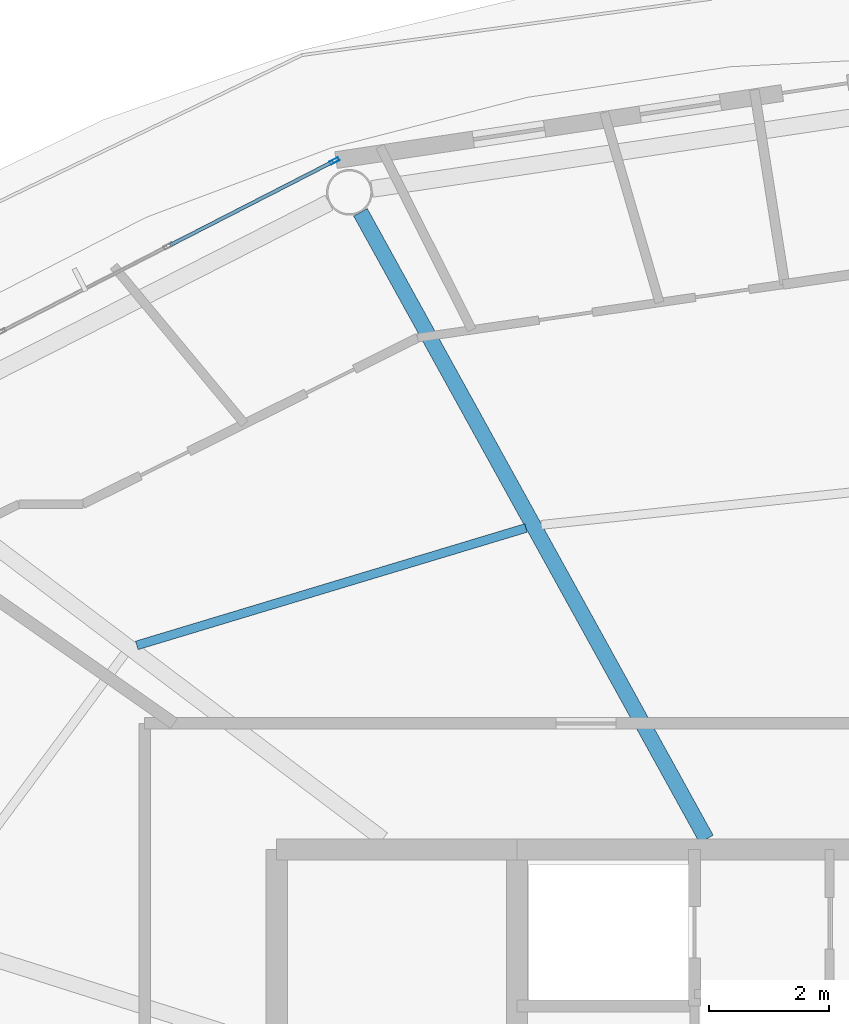
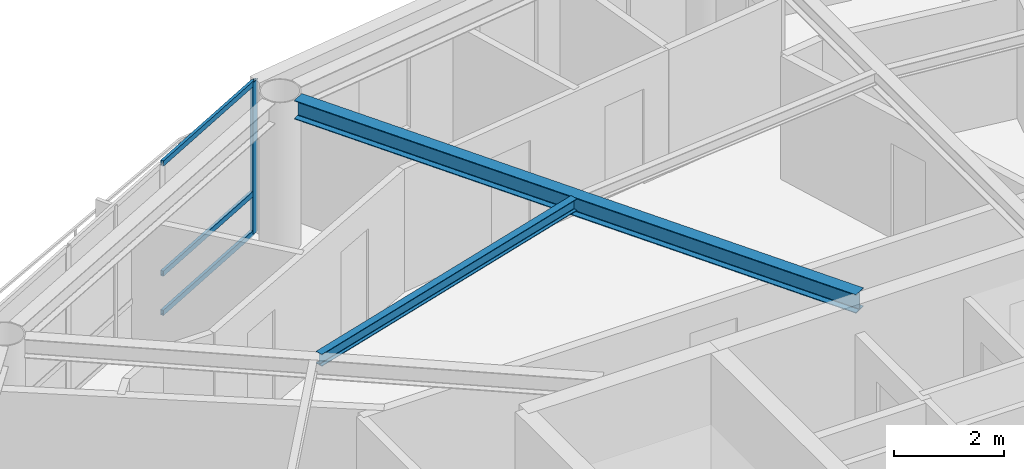
# One storey, part 9 of 23: 4 members, 2 beams, 1 element without a shape of its own.
"""IFC4 building model written with IfcOpenShell, lengths in metres."""

from ifc_helpers import new_model, si_unit, direction, frame, origin, origin_2d, place, context, subcontext, project, spatial, hollow_rectangle, i_section, extrude, material, layer, layer_set, material_profile, profile_set, type_object, element, aggregate, save


model = new_model("IFC4")

# Units and contexts
model_context = context("Model", 3, precision=1e-05, world=origin(), true_north=direction((0.0, 1.0)))
body_context = subcontext(model_context, "Body", "Model", "MODEL_VIEW")
ifc_project = project(units=[si_unit("LENGTHUNIT", "METRE"), si_unit("AREAUNIT", "SQUARE_METRE"), si_unit("VOLUMEUNIT", "CUBIC_METRE"), si_unit("PLANEANGLEUNIT", "RADIAN"), si_unit("MASSUNIT", "GRAM", prefix="KILO")], contexts=[model_context])

# Site, building, storey
site_placement = place(None, origin())
site = spatial("IfcSite", under=ifc_project, at=site_placement, CompositionType="ELEMENT")
building_placement = place(site_placement, origin())
building = spatial("IfcBuilding", under=site, at=building_placement, Name="Sarneth Arch Tower", CompositionType="ELEMENT")
storey_placement = place(building_placement, frame((0.0, 0.0, 276.60009765625)))
storey = spatial("IfcBuildingStorey", under=building, at=storey_placement, Name="L71", CompositionType="ELEMENT", Elevation=276.60009765625)

# Beams
ifc_material_1 = material(Name="Steel S355", Category="steel")
ifc_material_profile_1 = material_profile(ifc_material_1, i_section(OverallWidth=0.14794921875, OverallDepth=0.26611328125, WebThickness=0.007568359375, FlangeThickness=0.012939453125, FilletRadius=0.012939453125, at=origin_2d()), Name="W250x44.8")
ifc_profile_set_1 = profile_set([ifc_material_profile_1], Name="Steel S355")
beam_type_1 = type_object("IfcBeamType", Name="BM-JOIST-250", PredefinedType="JOIST", material=ifc_profile_set_1)
beam_1_placement = place(storey_placement, frame((41.147216796875, 54.15234375, 3.23681640625), z_axis=(-0.957373106971, -0.288854174367, 0.0), x_axis=(0.288854174367, -0.957373106971, 0.0)))
element("IfcBeam", 1, at=beam_1_placement, inside=storey, type_object=beam_type_1, Name="L71 Secondary floor joist 06", PredefinedType="JOIST", context=body_context, shape_type="SweptSolid", body=[
    extrude(i_section(OverallWidth=0.14794921875, OverallDepth=0.26611328125, WebThickness=0.007568359375, FlangeThickness=0.012939453125, FilletRadius=0.012939453125, at=origin_2d()), origin(), (0.0, 0.0, 1.0), 6.76416015625),
])
ifc_material_2 = material(Name="Steel S355", Category="steel")
ifc_material_profile_2 = material_profile(ifc_material_2, i_section(OverallWidth=0.260009765625, OverallDepth=0.4150390625, WebThickness=0.010009765625, FlangeThickness=0.016845703125, FilletRadius=0.01611328125, at=origin_2d()), Name="W410x100")
ifc_profile_set_2 = profile_set([ifc_material_profile_2], Name="Steel S355")
beam_type_2 = type_object("IfcBeamType", Name="BM-RAD-410A", PredefinedType="BEAM", material=ifc_profile_set_2)
beam_2_placement = place(storey_placement, frame((44.150146484375, 48.97509765625, 3.162353515625), z_axis=(-0.483231193732, 0.875492783182, 0.0), x_axis=(-0.875492783182, -0.483231193732, 0.0)))
element("IfcBeam", 2, at=beam_2_placement, inside=storey, type_object=beam_type_2, Name="L71 Radial floor girder 06", PredefinedType="BEAM", context=body_context, shape_type="SweptSolid", body=[
    extrude(i_section(OverallWidth=0.260009765625, OverallDepth=0.4150390625, WebThickness=0.010009765625, FlangeThickness=0.016845703125, FilletRadius=0.01611328125, at=origin_2d()), origin(), (0.0, 0.0, 1.0), 11.913330078125),
])

# Curtain wall, members
ifc_material_3 = material(Name="Anodised aluminium Type AA25 and solar-control low-e laminated IGU", Category="aluminium")
ifc_layer = layer(ifc_material_3, 0.179931640625)
ifc_layer_set = layer_set([ifc_layer], Name="Anodised aluminium Type AA25 and solar-control low-e laminated IGU")
curtain_wall_type = type_object("IfcCurtainWallType", Name="CW-RES-HIGH", PredefinedType="NOTDEFINED", material=ifc_layer_set)
curtain_wall_placement = place(storey_placement, origin())
curtain_wall = element("IfcCurtainWall", 3, at=curtain_wall_placement, inside=storey, type_object=curtain_wall_type, Name="L71 Unitised curtain wall facet 06", PredefinedType="NOTDEFINED")
ifc_material_4 = material(Name="Anodised Aluminium 6063-T6", Category="aluminium")
ifc_material_profile_3 = material_profile(ifc_material_4, hollow_rectangle(XDim=0.06005859375, YDim=0.159912109375, WallThickness=0.00390625, at=origin_2d()), Name="AL-MULL-160x60x4")
ifc_profile_set_3 = profile_set([ifc_material_profile_3], Name="Anodised Aluminium 6063-T6")
member_type_1 = type_object("IfcMemberType", Name="CW-MULLION", PredefinedType="MULLION", material=ifc_profile_set_3)
member_1_placement = place(storey_placement, frame((37.960693359375, 60.2607421875, 0.0), z_axis=(0.0, 0.0, 1.0), x_axis=(0.455941901753, -0.890009540525, 0.0)))
member_1 = element("IfcMember", 4, at=member_1_placement, type_object=member_type_1, Name="CW-SYS-6 mullion 1", PredefinedType="MULLION", context=body_context, shape_type="SweptSolid", body=[
    extrude(hollow_rectangle(XDim=0.06005859375, YDim=0.159912109375, WallThickness=0.00390625, at=origin_2d()), origin(), (0.0, 0.0, 1.0), 3.369873046875),
])
ifc_material_5 = material(Name="Anodised Aluminium 6063-T6", Category="aluminium")
ifc_material_profile_4 = material_profile(ifc_material_5, hollow_rectangle(XDim=0.06005859375, YDim=0.1201171875, WallThickness=0.00390625, at=origin_2d()), Name="AL-TRAN-120x60x4")
ifc_profile_set_4 = profile_set([ifc_material_profile_4], Name="Anodised Aluminium 6063-T6")
member_type_2 = type_object("IfcMemberType", Name="CW-TRANSOM", PredefinedType="USERDEFINED", material=ifc_profile_set_4)
member_2_placement = place(storey_placement, frame((37.933837890625, 60.2470703125, 0.02978515625), z_axis=(-0.889973523166, -0.456012201662, 0.0), x_axis=(0.456012201662, -0.889973523166, 0.0)))
member_2 = element("IfcMember", 5, at=member_2_placement, type_object=member_type_2, Name="CW-SYS-6 transom 1.1", ObjectType="TRANSOM", PredefinedType="USERDEFINED", context=body_context, shape_type="SweptSolid", body=[
    extrude(hollow_rectangle(XDim=0.06005859375, YDim=0.1201171875, WallThickness=0.00390625, at=origin_2d()), origin(), (0.0, 0.0, 1.0), 3.044677734375),
])
member_3_placement = place(storey_placement, frame((37.933837890625, 60.2470703125, 0.89990234375), z_axis=(-0.889973523166, -0.456012201662, 0.0), x_axis=(0.456012201662, -0.889973523166, 0.0)))
member_3 = element("IfcMember", 6, at=member_3_placement, type_object=member_type_2, Name="CW-SYS-6 transom 1.2", ObjectType="TRANSOM", PredefinedType="USERDEFINED", context=body_context, shape_type="SweptSolid", body=[
    extrude(hollow_rectangle(XDim=0.06005859375, YDim=0.1201171875, WallThickness=0.00390625, at=origin_2d()), origin(), (0.0, 0.0, 1.0), 3.044677734375),
])
member_4_placement = place(storey_placement, frame((37.933837890625, 60.2470703125, 3.33984375), z_axis=(-0.889973523166, -0.456012201662, 0.0), x_axis=(0.456012201662, -0.889973523166, 0.0)))
member_4 = element("IfcMember", 7, at=member_4_placement, type_object=member_type_2, Name="CW-SYS-6 transom 1.3", ObjectType="TRANSOM", PredefinedType="USERDEFINED", context=body_context, shape_type="SweptSolid", body=[
    extrude(hollow_rectangle(XDim=0.06005859375, YDim=0.1201171875, WallThickness=0.00390625, at=origin_2d()), origin(), (0.0, 0.0, 1.0), 3.044677734375),
])
aggregate(curtain_wall, [member_1, member_2, member_3, member_4])

save(model, "model.ifc")
